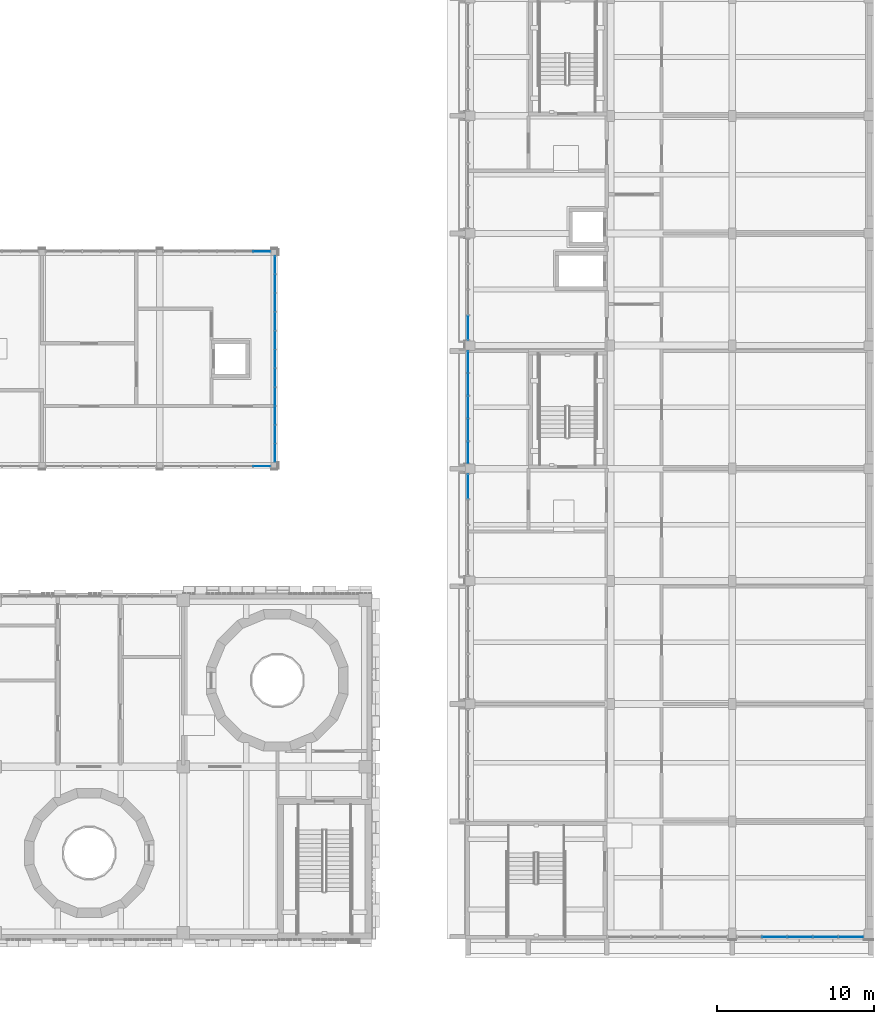
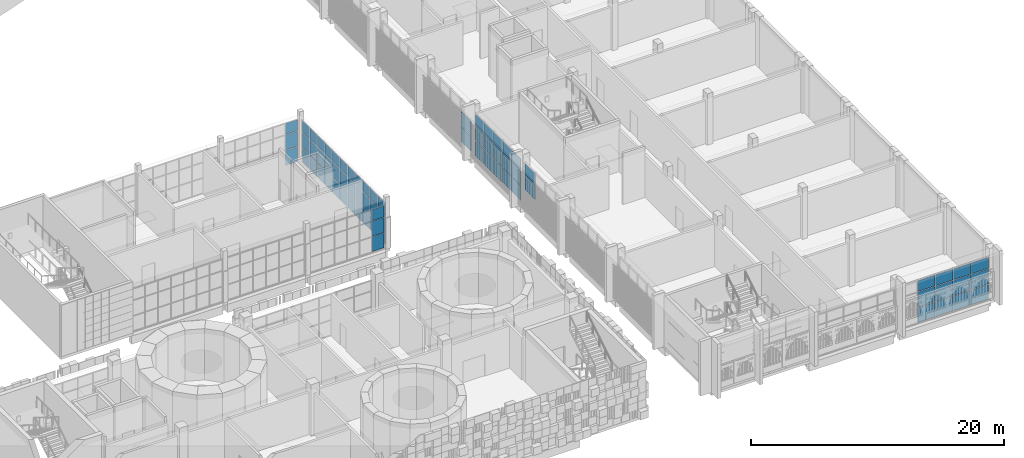
# One storey, part 60 of 125: 70 plates, 7 elements without a shape of their own.
"""IFC4 building model written with IfcOpenShell, lengths in metres."""

from ifc_helpers import new_model, si_unit, direction, frame, origin, origin_2d, place, context, subcontext, project, spatial, rectangle, extrude, material, layer, layer_set, type_object, element, aggregate, save


model = new_model("IFC4")

# Units and contexts
model_context = context("Model", 3, precision=1e-05, world=origin(), true_north=direction((0.0, 1.0)))
body_context = subcontext(model_context, "Body", "Model", "MODEL_VIEW")
ifc_project = project(units=[si_unit("LENGTHUNIT", "METRE"), si_unit("AREAUNIT", "SQUARE_METRE"), si_unit("VOLUMEUNIT", "CUBIC_METRE"), si_unit("PLANEANGLEUNIT", "RADIAN"), si_unit("MASSUNIT", "GRAM", prefix="KILO")], contexts=[model_context])

# Site, building, storey
site_placement = place(None, origin())
site = spatial("IfcSite", under=ifc_project, at=site_placement, CompositionType="ELEMENT")
building_placement = place(site_placement, origin())
building = spatial("IfcBuilding", under=site, at=building_placement, Name="Sun Court Science Centre", CompositionType="ELEMENT")
storey_placement = place(building_placement, frame((0.0, 0.0, 6.0)))
storey = spatial("IfcBuildingStorey", under=building, at=storey_placement, Name="L01", CompositionType="ELEMENT", Elevation=6.0)

# Curtain wall, plates
ifc_material_1 = material(Name="Aluminium EN AW-6063 T6", Category="aluminium")
curtain_wall_type_1 = type_object("IfcCurtainWallType", Name="Pavilion curtain wall 1200", PredefinedType="NOTDEFINED", material=ifc_material_1)
curtain_wall_1_placement = place(storey_placement, origin())
curtain_wall_1 = element("IfcCurtainWall", 1, at=curtain_wall_1_placement, inside=storey, type_object=curtain_wall_type_1, Name="Curtain wall V5 S L01 01", PredefinedType="NOTDEFINED")
ifc_material_2 = material(Name="Toughened safety glass", Category="glass")
ifc_layer_1 = layer(ifc_material_2, 0.0107421875)
ifc_layer_set_1 = layer_set([ifc_layer_1], Name="Toughened safety glass")
plate_type_1 = type_object("IfcPlateType", Name="Pavilion toughened glazing panel 10.8", PredefinedType="CURTAIN_PANEL", material=ifc_layer_set_1)
plate_1_placement = place(storey_placement, frame((65.012451171875, 36.14990234375, 0.0498046875), z_axis=(0.0, 0.0, 1.0), x_axis=(-1.0, 0.0, 0.0)))
plate_1 = element("IfcPlate", 2, at=plate_1_placement, type_object=plate_type_1, Name="CW3-05 panel 1.1", PredefinedType="CURTAIN_PANEL", context=body_context, shape_type="SweptSolid", body=[
    extrude(rectangle(XDim=1.074951171875, YDim=0.0107421875, at=origin_2d()), origin(), (0.0, 0.0, 1.0), 1.425048828125),
])
plate_2_placement = place(storey_placement, frame((65.012451171875, 36.14990234375, 1.52490234375), z_axis=(0.0, 0.0, 1.0), x_axis=(-1.0, 0.0, 0.0)))
plate_2 = element("IfcPlate", 3, at=plate_2_placement, type_object=plate_type_1, Name="CW3-05 panel 1.2", PredefinedType="CURTAIN_PANEL", context=body_context, shape_type="SweptSolid", body=[
    extrude(rectangle(XDim=1.074951171875, YDim=0.0107421875, at=origin_2d()), origin(), (0.0, 0.0, 1.0), 1.449951171875),
])
plate_3_placement = place(storey_placement, frame((65.012451171875, 36.14990234375, 3.02490234375), z_axis=(0.0, 0.0, 1.0), x_axis=(-1.0, 0.0, 0.0)))
plate_3 = element("IfcPlate", 4, at=plate_3_placement, type_object=plate_type_1, Name="CW3-05 panel 1.3", PredefinedType="CURTAIN_PANEL", context=body_context, shape_type="SweptSolid", body=[
    extrude(rectangle(XDim=1.074951171875, YDim=0.0107421875, at=origin_2d()), origin(), (0.0, 0.0, 1.0), 1.074951171875),
])
aggregate(curtain_wall_1, [plate_1, plate_2, plate_3])

curtain_wall_2_placement = place(storey_placement, origin())
curtain_wall_2 = element("IfcCurtainWall", 5, at=curtain_wall_2_placement, inside=storey, type_object=curtain_wall_type_1, Name="Curtain wall V5 N L01 03", PredefinedType="NOTDEFINED")
plate_4_placement = place(storey_placement, frame((65.012451171875, 49.85009765625, 0.0498046875), z_axis=(0.0, 0.0, 1.0), x_axis=(1.0, 0.0, 0.0)))
plate_4 = element("IfcPlate", 6, at=plate_4_placement, type_object=plate_type_1, Name="CW3-16 panel 6.1", PredefinedType="CURTAIN_PANEL", context=body_context, shape_type="SweptSolid", body=[
    extrude(rectangle(XDim=1.074951171875, YDim=0.0107421875, at=origin_2d()), origin(), (0.0, 0.0, 1.0), 1.425048828125),
])
plate_5_placement = place(storey_placement, frame((65.012451171875, 49.85009765625, 1.52490234375), z_axis=(0.0, 0.0, 1.0), x_axis=(1.0, 0.0, 0.0)))
plate_5 = element("IfcPlate", 7, at=plate_5_placement, type_object=plate_type_1, Name="CW3-16 panel 6.2", PredefinedType="CURTAIN_PANEL", context=body_context, shape_type="SweptSolid", body=[
    extrude(rectangle(XDim=1.074951171875, YDim=0.0107421875, at=origin_2d()), origin(), (0.0, 0.0, 1.0), 1.449951171875),
])
plate_6_placement = place(storey_placement, frame((65.012451171875, 49.85009765625, 3.02490234375), z_axis=(0.0, 0.0, 1.0), x_axis=(1.0, 0.0, 0.0)))
plate_6 = element("IfcPlate", 8, at=plate_6_placement, type_object=plate_type_1, Name="CW3-16 panel 6.3", PredefinedType="CURTAIN_PANEL", context=body_context, shape_type="SweptSolid", body=[
    extrude(rectangle(XDim=1.074951171875, YDim=0.0107421875, at=origin_2d()), origin(), (0.0, 0.0, 1.0), 1.074951171875),
])
aggregate(curtain_wall_2, [plate_4, plate_5, plate_6])

curtain_wall_3_placement = place(storey_placement, origin())
curtain_wall_3 = element("IfcCurtainWall", 9, at=curtain_wall_3_placement, inside=storey, type_object=curtain_wall_type_1, Name="Curtain wall V5 E L01 01", PredefinedType="NOTDEFINED")
plate_7_placement = place(storey_placement, frame((65.85009765625, 37.012451171875, 0.0498046875), z_axis=(0.0, 0.0, 1.0), x_axis=(0.0, -1.0, 0.0)))
plate_7 = element("IfcPlate", 10, at=plate_7_placement, type_object=plate_type_1, Name="CW3-21 panel 11.1", PredefinedType="CURTAIN_PANEL", context=body_context, shape_type="SweptSolid", body=[
    extrude(rectangle(XDim=1.125, YDim=0.0107421875, at=origin_2d()), origin(), (0.0, 0.0, 1.0), 1.425048828125),
])
plate_8_placement = place(storey_placement, frame((65.85009765625, 38.199951171875, 0.0498046875), z_axis=(0.0, 0.0, 1.0), x_axis=(0.0, -1.0, 0.0)))
plate_8 = element("IfcPlate", 11, at=plate_8_placement, type_object=plate_type_1, Name="CW3-21 panel 10.1", PredefinedType="CURTAIN_PANEL", context=body_context, shape_type="SweptSolid", body=[
    extrude(rectangle(XDim=1.14990234375, YDim=0.0107421875, at=origin_2d()), origin(), (0.0, 0.0, 1.0), 1.425048828125),
])
plate_9_placement = place(storey_placement, frame((65.85009765625, 39.39990234375, 0.0498046875), z_axis=(0.0, 0.0, 1.0), x_axis=(0.0, -1.0, 0.0)))
plate_9 = element("IfcPlate", 12, at=plate_9_placement, type_object=plate_type_1, Name="CW3-21 panel 9.1", PredefinedType="CURTAIN_PANEL", context=body_context, shape_type="SweptSolid", body=[
    extrude(rectangle(XDim=1.14990234375, YDim=0.0107421875, at=origin_2d()), origin(), (0.0, 0.0, 1.0), 1.425048828125),
])
plate_10_placement = place(storey_placement, frame((65.85009765625, 40.60009765625, 0.0498046875), z_axis=(0.0, 0.0, 1.0), x_axis=(0.0, -1.0, 0.0)))
plate_10 = element("IfcPlate", 13, at=plate_10_placement, type_object=plate_type_1, Name="CW3-21 panel 8.1", PredefinedType="CURTAIN_PANEL", context=body_context, shape_type="SweptSolid", body=[
    extrude(rectangle(XDim=1.14990234375, YDim=0.0107421875, at=origin_2d()), origin(), (0.0, 0.0, 1.0), 1.425048828125),
])
plate_11_placement = place(storey_placement, frame((65.85009765625, 41.800048828125, 0.0498046875), z_axis=(0.0, 0.0, 1.0), x_axis=(0.0, -1.0, 0.0)))
plate_11 = element("IfcPlate", 14, at=plate_11_placement, type_object=plate_type_1, Name="CW3-21 panel 7.1", PredefinedType="CURTAIN_PANEL", context=body_context, shape_type="SweptSolid", body=[
    extrude(rectangle(XDim=1.14990234375, YDim=0.0107421875, at=origin_2d()), origin(), (0.0, 0.0, 1.0), 1.425048828125),
])
plate_12_placement = place(storey_placement, frame((65.85009765625, 43.0, 0.0498046875), z_axis=(0.0, 0.0, 1.0), x_axis=(0.0, -1.0, 0.0)))
plate_12 = element("IfcPlate", 15, at=plate_12_placement, type_object=plate_type_1, Name="CW3-21 panel 6.1", PredefinedType="CURTAIN_PANEL", context=body_context, shape_type="SweptSolid", body=[
    extrude(rectangle(XDim=1.14990234375, YDim=0.0107421875, at=origin_2d()), origin(), (0.0, 0.0, 1.0), 1.425048828125),
])
plate_13_placement = place(storey_placement, frame((65.85009765625, 44.199951171875, 0.0498046875), z_axis=(0.0, 0.0, 1.0), x_axis=(0.0, -1.0, 0.0)))
plate_13 = element("IfcPlate", 16, at=plate_13_placement, type_object=plate_type_1, Name="CW3-21 panel 5.1", PredefinedType="CURTAIN_PANEL", context=body_context, shape_type="SweptSolid", body=[
    extrude(rectangle(XDim=1.14990234375, YDim=0.0107421875, at=origin_2d()), origin(), (0.0, 0.0, 1.0), 1.425048828125),
])
plate_14_placement = place(storey_placement, frame((65.85009765625, 45.39990234375, 0.0498046875), z_axis=(0.0, 0.0, 1.0), x_axis=(0.0, -1.0, 0.0)))
plate_14 = element("IfcPlate", 17, at=plate_14_placement, type_object=plate_type_1, Name="CW3-21 panel 4.1", PredefinedType="CURTAIN_PANEL", context=body_context, shape_type="SweptSolid", body=[
    extrude(rectangle(XDim=1.14990234375, YDim=0.0107421875, at=origin_2d()), origin(), (0.0, 0.0, 1.0), 1.425048828125),
])
plate_15_placement = place(storey_placement, frame((65.85009765625, 46.60009765625, 0.0498046875), z_axis=(0.0, 0.0, 1.0), x_axis=(0.0, -1.0, 0.0)))
plate_15 = element("IfcPlate", 18, at=plate_15_placement, type_object=plate_type_1, Name="CW3-21 panel 3.1", PredefinedType="CURTAIN_PANEL", context=body_context, shape_type="SweptSolid", body=[
    extrude(rectangle(XDim=1.14990234375, YDim=0.0107421875, at=origin_2d()), origin(), (0.0, 0.0, 1.0), 1.425048828125),
])
plate_16_placement = place(storey_placement, frame((65.85009765625, 47.800048828125, 0.0498046875), z_axis=(0.0, 0.0, 1.0), x_axis=(0.0, -1.0, 0.0)))
plate_16 = element("IfcPlate", 19, at=plate_16_placement, type_object=plate_type_1, Name="CW3-21 panel 2.1", PredefinedType="CURTAIN_PANEL", context=body_context, shape_type="SweptSolid", body=[
    extrude(rectangle(XDim=1.14990234375, YDim=0.0107421875, at=origin_2d()), origin(), (0.0, 0.0, 1.0), 1.425048828125),
])
plate_17_placement = place(storey_placement, frame((65.85009765625, 48.987548828125, 0.0498046875), z_axis=(0.0, 0.0, 1.0), x_axis=(0.0, -1.0, 0.0)))
plate_17 = element("IfcPlate", 20, at=plate_17_placement, type_object=plate_type_1, Name="CW3-21 panel 1.1", PredefinedType="CURTAIN_PANEL", context=body_context, shape_type="SweptSolid", body=[
    extrude(rectangle(XDim=1.125, YDim=0.0107421875, at=origin_2d()), origin(), (0.0, 0.0, 1.0), 1.425048828125),
])
plate_18_placement = place(storey_placement, frame((65.85009765625, 37.012451171875, 1.52490234375), z_axis=(0.0, 0.0, 1.0), x_axis=(0.0, -1.0, 0.0)))
plate_18 = element("IfcPlate", 21, at=plate_18_placement, type_object=plate_type_1, Name="CW3-21 panel 11.2", PredefinedType="CURTAIN_PANEL", context=body_context, shape_type="SweptSolid", body=[
    extrude(rectangle(XDim=1.125, YDim=0.0107421875, at=origin_2d()), origin(), (0.0, 0.0, 1.0), 1.449951171875),
])
plate_19_placement = place(storey_placement, frame((65.85009765625, 38.199951171875, 1.52490234375), z_axis=(0.0, 0.0, 1.0), x_axis=(0.0, -1.0, 0.0)))
plate_19 = element("IfcPlate", 22, at=plate_19_placement, type_object=plate_type_1, Name="CW3-21 panel 10.2", PredefinedType="CURTAIN_PANEL", context=body_context, shape_type="SweptSolid", body=[
    extrude(rectangle(XDim=1.14990234375, YDim=0.0107421875, at=origin_2d()), origin(), (0.0, 0.0, 1.0), 1.449951171875),
])
plate_20_placement = place(storey_placement, frame((65.85009765625, 39.39990234375, 1.52490234375), z_axis=(0.0, 0.0, 1.0), x_axis=(0.0, -1.0, 0.0)))
plate_20 = element("IfcPlate", 23, at=plate_20_placement, type_object=plate_type_1, Name="CW3-21 panel 9.2", PredefinedType="CURTAIN_PANEL", context=body_context, shape_type="SweptSolid", body=[
    extrude(rectangle(XDim=1.14990234375, YDim=0.0107421875, at=origin_2d()), origin(), (0.0, 0.0, 1.0), 1.449951171875),
])
plate_21_placement = place(storey_placement, frame((65.85009765625, 40.60009765625, 1.52490234375), z_axis=(0.0, 0.0, 1.0), x_axis=(0.0, -1.0, 0.0)))
plate_21 = element("IfcPlate", 24, at=plate_21_placement, type_object=plate_type_1, Name="CW3-21 panel 8.2", PredefinedType="CURTAIN_PANEL", context=body_context, shape_type="SweptSolid", body=[
    extrude(rectangle(XDim=1.14990234375, YDim=0.0107421875, at=origin_2d()), origin(), (0.0, 0.0, 1.0), 1.449951171875),
])
plate_22_placement = place(storey_placement, frame((65.85009765625, 41.800048828125, 1.52490234375), z_axis=(0.0, 0.0, 1.0), x_axis=(0.0, -1.0, 0.0)))
plate_22 = element("IfcPlate", 25, at=plate_22_placement, type_object=plate_type_1, Name="CW3-21 panel 7.2", PredefinedType="CURTAIN_PANEL", context=body_context, shape_type="SweptSolid", body=[
    extrude(rectangle(XDim=1.14990234375, YDim=0.0107421875, at=origin_2d()), origin(), (0.0, 0.0, 1.0), 1.449951171875),
])
plate_23_placement = place(storey_placement, frame((65.85009765625, 43.0, 1.52490234375), z_axis=(0.0, 0.0, 1.0), x_axis=(0.0, -1.0, 0.0)))
plate_23 = element("IfcPlate", 26, at=plate_23_placement, type_object=plate_type_1, Name="CW3-21 panel 6.2", PredefinedType="CURTAIN_PANEL", context=body_context, shape_type="SweptSolid", body=[
    extrude(rectangle(XDim=1.14990234375, YDim=0.0107421875, at=origin_2d()), origin(), (0.0, 0.0, 1.0), 1.449951171875),
])
plate_24_placement = place(storey_placement, frame((65.85009765625, 44.199951171875, 1.52490234375), z_axis=(0.0, 0.0, 1.0), x_axis=(0.0, -1.0, 0.0)))
plate_24 = element("IfcPlate", 27, at=plate_24_placement, type_object=plate_type_1, Name="CW3-21 panel 5.2", PredefinedType="CURTAIN_PANEL", context=body_context, shape_type="SweptSolid", body=[
    extrude(rectangle(XDim=1.14990234375, YDim=0.0107421875, at=origin_2d()), origin(), (0.0, 0.0, 1.0), 1.449951171875),
])
plate_25_placement = place(storey_placement, frame((65.85009765625, 45.39990234375, 1.52490234375), z_axis=(0.0, 0.0, 1.0), x_axis=(0.0, -1.0, 0.0)))
plate_25 = element("IfcPlate", 28, at=plate_25_placement, type_object=plate_type_1, Name="CW3-21 panel 4.2", PredefinedType="CURTAIN_PANEL", context=body_context, shape_type="SweptSolid", body=[
    extrude(rectangle(XDim=1.14990234375, YDim=0.0107421875, at=origin_2d()), origin(), (0.0, 0.0, 1.0), 1.449951171875),
])
plate_26_placement = place(storey_placement, frame((65.85009765625, 46.60009765625, 1.52490234375), z_axis=(0.0, 0.0, 1.0), x_axis=(0.0, -1.0, 0.0)))
plate_26 = element("IfcPlate", 29, at=plate_26_placement, type_object=plate_type_1, Name="CW3-21 panel 3.2", PredefinedType="CURTAIN_PANEL", context=body_context, shape_type="SweptSolid", body=[
    extrude(rectangle(XDim=1.14990234375, YDim=0.0107421875, at=origin_2d()), origin(), (0.0, 0.0, 1.0), 1.449951171875),
])
plate_27_placement = place(storey_placement, frame((65.85009765625, 47.800048828125, 1.52490234375), z_axis=(0.0, 0.0, 1.0), x_axis=(0.0, -1.0, 0.0)))
plate_27 = element("IfcPlate", 30, at=plate_27_placement, type_object=plate_type_1, Name="CW3-21 panel 2.2", PredefinedType="CURTAIN_PANEL", context=body_context, shape_type="SweptSolid", body=[
    extrude(rectangle(XDim=1.14990234375, YDim=0.0107421875, at=origin_2d()), origin(), (0.0, 0.0, 1.0), 1.449951171875),
])
plate_28_placement = place(storey_placement, frame((65.85009765625, 48.987548828125, 1.52490234375), z_axis=(0.0, 0.0, 1.0), x_axis=(0.0, -1.0, 0.0)))
plate_28 = element("IfcPlate", 31, at=plate_28_placement, type_object=plate_type_1, Name="CW3-21 panel 1.2", PredefinedType="CURTAIN_PANEL", context=body_context, shape_type="SweptSolid", body=[
    extrude(rectangle(XDim=1.125, YDim=0.0107421875, at=origin_2d()), origin(), (0.0, 0.0, 1.0), 1.449951171875),
])
plate_29_placement = place(storey_placement, frame((65.85009765625, 37.012451171875, 3.02490234375), z_axis=(0.0, 0.0, 1.0), x_axis=(0.0, -1.0, 0.0)))
plate_29 = element("IfcPlate", 32, at=plate_29_placement, type_object=plate_type_1, Name="CW3-21 panel 11.3", PredefinedType="CURTAIN_PANEL", context=body_context, shape_type="SweptSolid", body=[
    extrude(rectangle(XDim=1.125, YDim=0.0107421875, at=origin_2d()), origin(), (0.0, 0.0, 1.0), 1.074951171875),
])
plate_30_placement = place(storey_placement, frame((65.85009765625, 38.199951171875, 3.02490234375), z_axis=(0.0, 0.0, 1.0), x_axis=(0.0, -1.0, 0.0)))
plate_30 = element("IfcPlate", 33, at=plate_30_placement, type_object=plate_type_1, Name="CW3-21 panel 10.3", PredefinedType="CURTAIN_PANEL", context=body_context, shape_type="SweptSolid", body=[
    extrude(rectangle(XDim=1.14990234375, YDim=0.0107421875, at=origin_2d()), origin(), (0.0, 0.0, 1.0), 1.074951171875),
])
plate_31_placement = place(storey_placement, frame((65.85009765625, 39.39990234375, 3.02490234375), z_axis=(0.0, 0.0, 1.0), x_axis=(0.0, -1.0, 0.0)))
plate_31 = element("IfcPlate", 34, at=plate_31_placement, type_object=plate_type_1, Name="CW3-21 panel 9.3", PredefinedType="CURTAIN_PANEL", context=body_context, shape_type="SweptSolid", body=[
    extrude(rectangle(XDim=1.14990234375, YDim=0.0107421875, at=origin_2d()), origin(), (0.0, 0.0, 1.0), 1.074951171875),
])
plate_32_placement = place(storey_placement, frame((65.85009765625, 40.60009765625, 3.02490234375), z_axis=(0.0, 0.0, 1.0), x_axis=(0.0, -1.0, 0.0)))
plate_32 = element("IfcPlate", 35, at=plate_32_placement, type_object=plate_type_1, Name="CW3-21 panel 8.3", PredefinedType="CURTAIN_PANEL", context=body_context, shape_type="SweptSolid", body=[
    extrude(rectangle(XDim=1.14990234375, YDim=0.0107421875, at=origin_2d()), origin(), (0.0, 0.0, 1.0), 1.074951171875),
])
plate_33_placement = place(storey_placement, frame((65.85009765625, 41.800048828125, 3.02490234375), z_axis=(0.0, 0.0, 1.0), x_axis=(0.0, -1.0, 0.0)))
plate_33 = element("IfcPlate", 36, at=plate_33_placement, type_object=plate_type_1, Name="CW3-21 panel 7.3", PredefinedType="CURTAIN_PANEL", context=body_context, shape_type="SweptSolid", body=[
    extrude(rectangle(XDim=1.14990234375, YDim=0.0107421875, at=origin_2d()), origin(), (0.0, 0.0, 1.0), 1.074951171875),
])
plate_34_placement = place(storey_placement, frame((65.85009765625, 43.0, 3.02490234375), z_axis=(0.0, 0.0, 1.0), x_axis=(0.0, -1.0, 0.0)))
plate_34 = element("IfcPlate", 37, at=plate_34_placement, type_object=plate_type_1, Name="CW3-21 panel 6.3", PredefinedType="CURTAIN_PANEL", context=body_context, shape_type="SweptSolid", body=[
    extrude(rectangle(XDim=1.14990234375, YDim=0.0107421875, at=origin_2d()), origin(), (0.0, 0.0, 1.0), 1.074951171875),
])
plate_35_placement = place(storey_placement, frame((65.85009765625, 44.199951171875, 3.02490234375), z_axis=(0.0, 0.0, 1.0), x_axis=(0.0, -1.0, 0.0)))
plate_35 = element("IfcPlate", 38, at=plate_35_placement, type_object=plate_type_1, Name="CW3-21 panel 5.3", PredefinedType="CURTAIN_PANEL", context=body_context, shape_type="SweptSolid", body=[
    extrude(rectangle(XDim=1.14990234375, YDim=0.0107421875, at=origin_2d()), origin(), (0.0, 0.0, 1.0), 1.074951171875),
])
plate_36_placement = place(storey_placement, frame((65.85009765625, 45.39990234375, 3.02490234375), z_axis=(0.0, 0.0, 1.0), x_axis=(0.0, -1.0, 0.0)))
plate_36 = element("IfcPlate", 39, at=plate_36_placement, type_object=plate_type_1, Name="CW3-21 panel 4.3", PredefinedType="CURTAIN_PANEL", context=body_context, shape_type="SweptSolid", body=[
    extrude(rectangle(XDim=1.14990234375, YDim=0.0107421875, at=origin_2d()), origin(), (0.0, 0.0, 1.0), 1.074951171875),
])
plate_37_placement = place(storey_placement, frame((65.85009765625, 46.60009765625, 3.02490234375), z_axis=(0.0, 0.0, 1.0), x_axis=(0.0, -1.0, 0.0)))
plate_37 = element("IfcPlate", 40, at=plate_37_placement, type_object=plate_type_1, Name="CW3-21 panel 3.3", PredefinedType="CURTAIN_PANEL", context=body_context, shape_type="SweptSolid", body=[
    extrude(rectangle(XDim=1.14990234375, YDim=0.0107421875, at=origin_2d()), origin(), (0.0, 0.0, 1.0), 1.074951171875),
])
plate_38_placement = place(storey_placement, frame((65.85009765625, 47.800048828125, 3.02490234375), z_axis=(0.0, 0.0, 1.0), x_axis=(0.0, -1.0, 0.0)))
plate_38 = element("IfcPlate", 41, at=plate_38_placement, type_object=plate_type_1, Name="CW3-21 panel 2.3", PredefinedType="CURTAIN_PANEL", context=body_context, shape_type="SweptSolid", body=[
    extrude(rectangle(XDim=1.14990234375, YDim=0.0107421875, at=origin_2d()), origin(), (0.0, 0.0, 1.0), 1.074951171875),
])
plate_39_placement = place(storey_placement, frame((65.85009765625, 48.987548828125, 3.02490234375), z_axis=(0.0, 0.0, 1.0), x_axis=(0.0, -1.0, 0.0)))
plate_39 = element("IfcPlate", 42, at=plate_39_placement, type_object=plate_type_1, Name="CW3-21 panel 1.3", PredefinedType="CURTAIN_PANEL", context=body_context, shape_type="SweptSolid", body=[
    extrude(rectangle(XDim=1.125, YDim=0.0107421875, at=origin_2d()), origin(), (0.0, 0.0, 1.0), 1.074951171875),
])
aggregate(curtain_wall_3, [plate_7, plate_8, plate_9, plate_10, plate_11, plate_12, plate_13, plate_14, plate_15, plate_16, plate_17, plate_18, plate_19, plate_20, plate_21, plate_22, plate_23, plate_24, plate_25, plate_26, plate_27, plate_28, plate_29, plate_30, plate_31, plate_32, plate_33, plate_34, plate_35, plate_36, plate_37, plate_38, plate_39])

ifc_material_3 = material(Name="Aluminium EN AW-6063 T6", Category="aluminium")
curtain_wall_type_2 = type_object("IfcCurtainWallType", Name="Laboratory tall bay curtain wall 1500", PredefinedType="NOTDEFINED", material=ifc_material_3)
curtain_wall_4_placement = place(storey_placement, origin())
curtain_wall_4 = element("IfcCurtainWall", 43, at=curtain_wall_4_placement, inside=storey, type_object=curtain_wall_type_2, Name="Curtain wall V4 W L01 03", PredefinedType="NOTDEFINED")
ifc_material_4 = material(Name="Solar-control glass", Category="glass")
ifc_layer_2 = layer(ifc_material_4, 0.028076171875)
ifc_layer_set_2 = layer_set([ifc_layer_2], Name="Solar-control glass")
plate_type_2 = type_object("IfcPlateType", Name="Solar-control glazing panel 8-12-8", PredefinedType="CURTAIN_PANEL", material=ifc_layer_set_2)
plate_40_placement = place(storey_placement, frame((78.14990234375, 34.8662109375, 1.530029296875), z_axis=(0.0, 0.0, 1.0), x_axis=(0.0, 1.0, 0.0)))
plate_40 = element("IfcPlate", 44, at=plate_40_placement, type_object=plate_type_2, Name="CW2-12 panel 4.2", PredefinedType="CURTAIN_PANEL", context=body_context, shape_type="SweptSolid", body=[
    extrude(rectangle(XDim=1.547607421875, YDim=0.028076171875, at=origin_2d()), origin(), (0.0, 0.0, 1.0), 1.43994140625),
])
plate_41_placement = place(storey_placement, frame((78.14990234375, 34.8662109375, 3.030029296875), z_axis=(0.0, 0.0, 1.0), x_axis=(0.0, 1.0, 0.0)))
plate_41 = element("IfcPlate", 45, at=plate_41_placement, type_object=plate_type_2, Name="CW2-12 panel 4.3", PredefinedType="CURTAIN_PANEL", context=body_context, shape_type="SweptSolid", body=[
    extrude(rectangle(XDim=1.547607421875, YDim=0.028076171875, at=origin_2d()), origin(), (0.0, 0.0, 1.0), 1.06005859375),
])
aggregate(curtain_wall_4, [plate_40, plate_41])

curtain_wall_5_placement = place(storey_placement, origin())
curtain_wall_5 = element("IfcCurtainWall", 46, at=curtain_wall_5_placement, inside=storey, type_object=curtain_wall_type_2, Name="Curtain wall V4 W L01 04", PredefinedType="NOTDEFINED")
plate_42_placement = place(storey_placement, frame((78.14990234375, 37.0400390625, 0.06005859375), z_axis=(0.0, 0.0, 1.0), x_axis=(0.0, 1.0, 0.0)))
plate_42 = element("IfcPlate", 47, at=plate_42_placement, type_object=plate_type_2, Name="CW2-13 panel 1.1", PredefinedType="CURTAIN_PANEL", context=body_context, shape_type="SweptSolid", body=[
    extrude(rectangle(XDim=1.360107421875, YDim=0.028076171875, at=origin_2d()), origin(), (0.0, 0.0, 1.0), 1.409912109375),
])
plate_43_placement = place(storey_placement, frame((78.14990234375, 38.47509765625, 0.06005859375), z_axis=(0.0, 0.0, 1.0), x_axis=(0.0, 1.0, 0.0)))
plate_43 = element("IfcPlate", 48, at=plate_43_placement, type_object=plate_type_2, Name="CW2-13 panel 2.1", PredefinedType="CURTAIN_PANEL", context=body_context, shape_type="SweptSolid", body=[
    extrude(rectangle(XDim=1.389892578125, YDim=0.028076171875, at=origin_2d()), origin(), (0.0, 0.0, 1.0), 1.409912109375),
])
plate_44_placement = place(storey_placement, frame((78.14990234375, 39.925048828125, 0.06005859375), z_axis=(0.0, 0.0, 1.0), x_axis=(0.0, 1.0, 0.0)))
plate_44 = element("IfcPlate", 49, at=plate_44_placement, type_object=plate_type_2, Name="CW2-13 panel 3.1", PredefinedType="CURTAIN_PANEL", context=body_context, shape_type="SweptSolid", body=[
    extrude(rectangle(XDim=1.389892578125, YDim=0.028076171875, at=origin_2d()), origin(), (0.0, 0.0, 1.0), 1.409912109375),
])
plate_45_placement = place(storey_placement, frame((78.14990234375, 41.375, 0.06005859375), z_axis=(0.0, 0.0, 1.0), x_axis=(0.0, 1.0, 0.0)))
plate_45 = element("IfcPlate", 50, at=plate_45_placement, type_object=plate_type_2, Name="CW2-13 panel 4.1", PredefinedType="CURTAIN_PANEL", context=body_context, shape_type="SweptSolid", body=[
    extrude(rectangle(XDim=1.389892578125, YDim=0.028076171875, at=origin_2d()), origin(), (0.0, 0.0, 1.0), 1.409912109375),
])
plate_46_placement = place(storey_placement, frame((78.14990234375, 42.81005859375, 0.06005859375), z_axis=(0.0, 0.0, 1.0), x_axis=(0.0, 1.0, 0.0)))
plate_46 = element("IfcPlate", 51, at=plate_46_placement, type_object=plate_type_2, Name="CW2-13 panel 5.1", PredefinedType="CURTAIN_PANEL", context=body_context, shape_type="SweptSolid", body=[
    extrude(rectangle(XDim=1.360107421875, YDim=0.028076171875, at=origin_2d()), origin(), (0.0, 0.0, 1.0), 1.409912109375),
])
plate_47_placement = place(storey_placement, frame((78.14990234375, 37.0400390625, 1.530029296875), z_axis=(0.0, 0.0, 1.0), x_axis=(0.0, 1.0, 0.0)))
plate_47 = element("IfcPlate", 52, at=plate_47_placement, type_object=plate_type_2, Name="CW2-13 panel 1.2", PredefinedType="CURTAIN_PANEL", context=body_context, shape_type="SweptSolid", body=[
    extrude(rectangle(XDim=1.360107421875, YDim=0.028076171875, at=origin_2d()), origin(), (0.0, 0.0, 1.0), 1.43994140625),
])
plate_48_placement = place(storey_placement, frame((78.14990234375, 38.47509765625, 1.530029296875), z_axis=(0.0, 0.0, 1.0), x_axis=(0.0, 1.0, 0.0)))
plate_48 = element("IfcPlate", 53, at=plate_48_placement, type_object=plate_type_2, Name="CW2-13 panel 2.2", PredefinedType="CURTAIN_PANEL", context=body_context, shape_type="SweptSolid", body=[
    extrude(rectangle(XDim=1.389892578125, YDim=0.028076171875, at=origin_2d()), origin(), (0.0, 0.0, 1.0), 1.43994140625),
])
plate_49_placement = place(storey_placement, frame((78.14990234375, 39.925048828125, 1.530029296875), z_axis=(0.0, 0.0, 1.0), x_axis=(0.0, 1.0, 0.0)))
plate_49 = element("IfcPlate", 54, at=plate_49_placement, type_object=plate_type_2, Name="CW2-13 panel 3.2", PredefinedType="CURTAIN_PANEL", context=body_context, shape_type="SweptSolid", body=[
    extrude(rectangle(XDim=1.389892578125, YDim=0.028076171875, at=origin_2d()), origin(), (0.0, 0.0, 1.0), 1.43994140625),
])
plate_50_placement = place(storey_placement, frame((78.14990234375, 41.375, 1.530029296875), z_axis=(0.0, 0.0, 1.0), x_axis=(0.0, 1.0, 0.0)))
plate_50 = element("IfcPlate", 55, at=plate_50_placement, type_object=plate_type_2, Name="CW2-13 panel 4.2", PredefinedType="CURTAIN_PANEL", context=body_context, shape_type="SweptSolid", body=[
    extrude(rectangle(XDim=1.389892578125, YDim=0.028076171875, at=origin_2d()), origin(), (0.0, 0.0, 1.0), 1.43994140625),
])
plate_51_placement = place(storey_placement, frame((78.14990234375, 42.81005859375, 1.530029296875), z_axis=(0.0, 0.0, 1.0), x_axis=(0.0, 1.0, 0.0)))
plate_51 = element("IfcPlate", 56, at=plate_51_placement, type_object=plate_type_2, Name="CW2-13 panel 5.2", PredefinedType="CURTAIN_PANEL", context=body_context, shape_type="SweptSolid", body=[
    extrude(rectangle(XDim=1.360107421875, YDim=0.028076171875, at=origin_2d()), origin(), (0.0, 0.0, 1.0), 1.43994140625),
])
plate_52_placement = place(storey_placement, frame((78.14990234375, 37.0400390625, 3.030029296875), z_axis=(0.0, 0.0, 1.0), x_axis=(0.0, 1.0, 0.0)))
plate_52 = element("IfcPlate", 57, at=plate_52_placement, type_object=plate_type_2, Name="CW2-13 panel 1.3", PredefinedType="CURTAIN_PANEL", context=body_context, shape_type="SweptSolid", body=[
    extrude(rectangle(XDim=1.360107421875, YDim=0.028076171875, at=origin_2d()), origin(), (0.0, 0.0, 1.0), 1.06005859375),
])
plate_53_placement = place(storey_placement, frame((78.14990234375, 38.47509765625, 3.030029296875), z_axis=(0.0, 0.0, 1.0), x_axis=(0.0, 1.0, 0.0)))
plate_53 = element("IfcPlate", 58, at=plate_53_placement, type_object=plate_type_2, Name="CW2-13 panel 2.3", PredefinedType="CURTAIN_PANEL", context=body_context, shape_type="SweptSolid", body=[
    extrude(rectangle(XDim=1.389892578125, YDim=0.028076171875, at=origin_2d()), origin(), (0.0, 0.0, 1.0), 1.06005859375),
])
plate_54_placement = place(storey_placement, frame((78.14990234375, 39.925048828125, 3.030029296875), z_axis=(0.0, 0.0, 1.0), x_axis=(0.0, 1.0, 0.0)))
plate_54 = element("IfcPlate", 59, at=plate_54_placement, type_object=plate_type_2, Name="CW2-13 panel 3.3", PredefinedType="CURTAIN_PANEL", context=body_context, shape_type="SweptSolid", body=[
    extrude(rectangle(XDim=1.389892578125, YDim=0.028076171875, at=origin_2d()), origin(), (0.0, 0.0, 1.0), 1.06005859375),
])
plate_55_placement = place(storey_placement, frame((78.14990234375, 41.375, 3.030029296875), z_axis=(0.0, 0.0, 1.0), x_axis=(0.0, 1.0, 0.0)))
plate_55 = element("IfcPlate", 60, at=plate_55_placement, type_object=plate_type_2, Name="CW2-13 panel 4.3", PredefinedType="CURTAIN_PANEL", context=body_context, shape_type="SweptSolid", body=[
    extrude(rectangle(XDim=1.389892578125, YDim=0.028076171875, at=origin_2d()), origin(), (0.0, 0.0, 1.0), 1.06005859375),
])
plate_56_placement = place(storey_placement, frame((78.14990234375, 42.81005859375, 3.030029296875), z_axis=(0.0, 0.0, 1.0), x_axis=(0.0, 1.0, 0.0)))
plate_56 = element("IfcPlate", 61, at=plate_56_placement, type_object=plate_type_2, Name="CW2-13 panel 5.3", PredefinedType="CURTAIN_PANEL", context=body_context, shape_type="SweptSolid", body=[
    extrude(rectangle(XDim=1.360107421875, YDim=0.028076171875, at=origin_2d()), origin(), (0.0, 0.0, 1.0), 1.06005859375),
])
aggregate(curtain_wall_5, [plate_42, plate_43, plate_44, plate_45, plate_46, plate_47, plate_48, plate_49, plate_50, plate_51, plate_52, plate_53, plate_54, plate_55, plate_56])

curtain_wall_6_placement = place(storey_placement, origin())
curtain_wall_6 = element("IfcCurtainWall", 62, at=curtain_wall_6_placement, inside=storey, type_object=curtain_wall_type_2, Name="Curtain wall V4 W L01 05", PredefinedType="NOTDEFINED")
plate_57_placement = place(storey_placement, frame((78.14990234375, 44.983642578125, 0.06005859375), z_axis=(0.0, 0.0, 1.0), x_axis=(0.0, 1.0, 0.0)))
plate_57 = element("IfcPlate", 63, at=plate_57_placement, type_object=plate_type_2, Name="CW2-14 panel 1.1", PredefinedType="CURTAIN_PANEL", context=body_context, shape_type="SweptSolid", body=[
    extrude(rectangle(XDim=1.547607421875, YDim=0.028076171875, at=origin_2d()), origin(), (0.0, 0.0, 1.0), 1.409912109375),
])
plate_58_placement = place(storey_placement, frame((78.14990234375, 44.983642578125, 1.530029296875), z_axis=(0.0, 0.0, 1.0), x_axis=(0.0, 1.0, 0.0)))
plate_58 = element("IfcPlate", 64, at=plate_58_placement, type_object=plate_type_2, Name="CW2-14 panel 1.2", PredefinedType="CURTAIN_PANEL", context=body_context, shape_type="SweptSolid", body=[
    extrude(rectangle(XDim=1.547607421875, YDim=0.028076171875, at=origin_2d()), origin(), (0.0, 0.0, 1.0), 1.43994140625),
])
aggregate(curtain_wall_6, [plate_57, plate_58])

curtain_wall_7_placement = place(storey_placement, origin())
curtain_wall_7 = element("IfcCurtainWall", 65, at=curtain_wall_7_placement, inside=storey, type_object=curtain_wall_type_2, Name="Curtain wall V4 S L01 01", PredefinedType="NOTDEFINED")
plate_59_placement = place(storey_placement, frame((97.695068359375, 6.14990234375, 0.06005859375), z_axis=(0.0, 0.0, 1.0), x_axis=(-1.0, 0.0, 0.0)))
plate_59 = element("IfcPlate", 66, at=plate_59_placement, type_object=plate_type_2, Name="CW2-49 panel 4.1", PredefinedType="CURTAIN_PANEL", context=body_context, shape_type="SweptSolid", body=[
    extrude(rectangle(XDim=1.570068359375, YDim=0.028076171875, at=origin_2d()), origin(), (0.0, 0.0, 1.0), 1.409912109375),
])
plate_60_placement = place(storey_placement, frame((99.324951171875, 6.14990234375, 0.06005859375), z_axis=(0.0, 0.0, 1.0), x_axis=(-1.0, 0.0, 0.0)))
plate_60 = element("IfcPlate", 67, at=plate_60_placement, type_object=plate_type_2, Name="CW2-49 panel 3.1", PredefinedType="CURTAIN_PANEL", context=body_context, shape_type="SweptSolid", body=[
    extrude(rectangle(XDim=1.570068359375, YDim=0.028076171875, at=origin_2d()), origin(), (0.0, 0.0, 1.0), 1.409912109375),
])
plate_61_placement = place(storey_placement, frame((100.955078125, 6.14990234375, 0.06005859375), z_axis=(0.0, 0.0, 1.0), x_axis=(-1.0, 0.0, 0.0)))
plate_61 = element("IfcPlate", 68, at=plate_61_placement, type_object=plate_type_2, Name="CW2-49 panel 2.1", PredefinedType="CURTAIN_PANEL", context=body_context, shape_type="SweptSolid", body=[
    extrude(rectangle(XDim=1.570068359375, YDim=0.028076171875, at=origin_2d()), origin(), (0.0, 0.0, 1.0), 1.409912109375),
])
plate_62_placement = place(storey_placement, frame((102.570068359375, 6.14990234375, 0.06005859375), z_axis=(0.0, 0.0, 1.0), x_axis=(-1.0, 0.0, 0.0)))
plate_62 = element("IfcPlate", 69, at=plate_62_placement, type_object=plate_type_2, Name="CW2-49 panel 1.1", PredefinedType="CURTAIN_PANEL", context=body_context, shape_type="SweptSolid", body=[
    extrude(rectangle(XDim=1.5400390625, YDim=0.028076171875, at=origin_2d()), origin(), (0.0, 0.0, 1.0), 1.409912109375),
])
plate_63_placement = place(storey_placement, frame((97.695068359375, 6.14990234375, 1.530029296875), z_axis=(0.0, 0.0, 1.0), x_axis=(-1.0, 0.0, 0.0)))
plate_63 = element("IfcPlate", 70, at=plate_63_placement, type_object=plate_type_2, Name="CW2-49 panel 4.2", PredefinedType="CURTAIN_PANEL", context=body_context, shape_type="SweptSolid", body=[
    extrude(rectangle(XDim=1.570068359375, YDim=0.028076171875, at=origin_2d()), origin(), (0.0, 0.0, 1.0), 1.43994140625),
])
plate_64_placement = place(storey_placement, frame((99.324951171875, 6.14990234375, 1.530029296875), z_axis=(0.0, 0.0, 1.0), x_axis=(-1.0, 0.0, 0.0)))
plate_64 = element("IfcPlate", 71, at=plate_64_placement, type_object=plate_type_2, Name="CW2-49 panel 3.2", PredefinedType="CURTAIN_PANEL", context=body_context, shape_type="SweptSolid", body=[
    extrude(rectangle(XDim=1.570068359375, YDim=0.028076171875, at=origin_2d()), origin(), (0.0, 0.0, 1.0), 1.43994140625),
])
plate_65_placement = place(storey_placement, frame((100.955078125, 6.14990234375, 1.530029296875), z_axis=(0.0, 0.0, 1.0), x_axis=(-1.0, 0.0, 0.0)))
plate_65 = element("IfcPlate", 72, at=plate_65_placement, type_object=plate_type_2, Name="CW2-49 panel 2.2", PredefinedType="CURTAIN_PANEL", context=body_context, shape_type="SweptSolid", body=[
    extrude(rectangle(XDim=1.570068359375, YDim=0.028076171875, at=origin_2d()), origin(), (0.0, 0.0, 1.0), 1.43994140625),
])
plate_66_placement = place(storey_placement, frame((102.570068359375, 6.14990234375, 1.530029296875), z_axis=(0.0, 0.0, 1.0), x_axis=(-1.0, 0.0, 0.0)))
plate_66 = element("IfcPlate", 73, at=plate_66_placement, type_object=plate_type_2, Name="CW2-49 panel 1.2", PredefinedType="CURTAIN_PANEL", context=body_context, shape_type="SweptSolid", body=[
    extrude(rectangle(XDim=1.5400390625, YDim=0.028076171875, at=origin_2d()), origin(), (0.0, 0.0, 1.0), 1.43994140625),
])
plate_67_placement = place(storey_placement, frame((97.695068359375, 6.14990234375, 3.030029296875), z_axis=(0.0, 0.0, 1.0), x_axis=(-1.0, 0.0, 0.0)))
plate_67 = element("IfcPlate", 74, at=plate_67_placement, type_object=plate_type_2, Name="CW2-49 panel 4.3", PredefinedType="CURTAIN_PANEL", context=body_context, shape_type="SweptSolid", body=[
    extrude(rectangle(XDim=1.570068359375, YDim=0.028076171875, at=origin_2d()), origin(), (0.0, 0.0, 1.0), 1.06005859375),
])
plate_68_placement = place(storey_placement, frame((99.324951171875, 6.14990234375, 3.030029296875), z_axis=(0.0, 0.0, 1.0), x_axis=(-1.0, 0.0, 0.0)))
plate_68 = element("IfcPlate", 75, at=plate_68_placement, type_object=plate_type_2, Name="CW2-49 panel 3.3", PredefinedType="CURTAIN_PANEL", context=body_context, shape_type="SweptSolid", body=[
    extrude(rectangle(XDim=1.570068359375, YDim=0.028076171875, at=origin_2d()), origin(), (0.0, 0.0, 1.0), 1.06005859375),
])
plate_69_placement = place(storey_placement, frame((100.955078125, 6.14990234375, 3.030029296875), z_axis=(0.0, 0.0, 1.0), x_axis=(-1.0, 0.0, 0.0)))
plate_69 = element("IfcPlate", 76, at=plate_69_placement, type_object=plate_type_2, Name="CW2-49 panel 2.3", PredefinedType="CURTAIN_PANEL", context=body_context, shape_type="SweptSolid", body=[
    extrude(rectangle(XDim=1.570068359375, YDim=0.028076171875, at=origin_2d()), origin(), (0.0, 0.0, 1.0), 1.06005859375),
])
plate_70_placement = place(storey_placement, frame((102.570068359375, 6.14990234375, 3.030029296875), z_axis=(0.0, 0.0, 1.0), x_axis=(-1.0, 0.0, 0.0)))
plate_70 = element("IfcPlate", 77, at=plate_70_placement, type_object=plate_type_2, Name="CW2-49 panel 1.3", PredefinedType="CURTAIN_PANEL", context=body_context, shape_type="SweptSolid", body=[
    extrude(rectangle(XDim=1.5400390625, YDim=0.028076171875, at=origin_2d()), origin(), (0.0, 0.0, 1.0), 1.06005859375),
])
aggregate(curtain_wall_7, [plate_59, plate_60, plate_61, plate_62, plate_63, plate_64, plate_65, plate_66, plate_67, plate_68, plate_69, plate_70])

save(model, "model.ifc")
